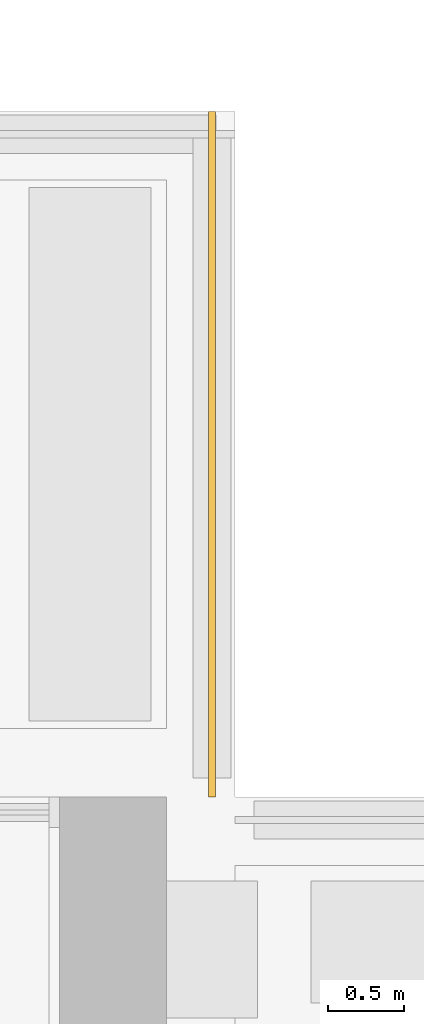
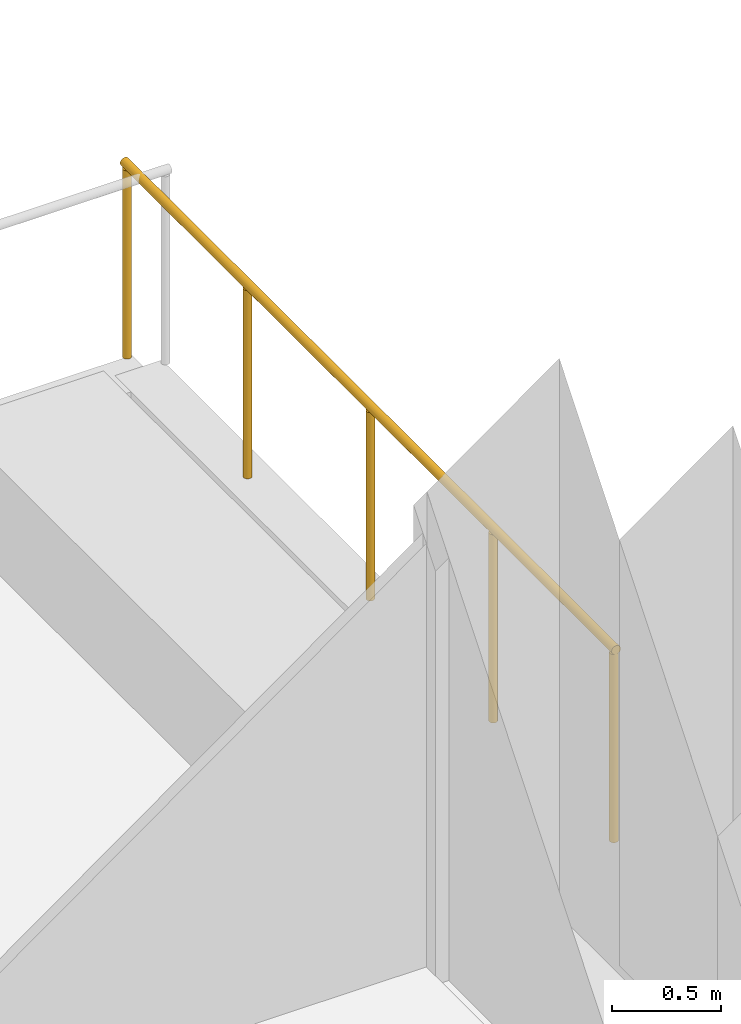
# One storey, part 17 of 18: 1 railing.
"""IFC4 building model written with IfcOpenShell, lengths in metres."""

import ifcopenshell
import ifcopenshell.guid

model = None  # the IFC model being written
_history = None  # IfcOwnerHistory: only IFC2X3 demands one
_inside = {}  # id of a spatial element -> (the spatial element, [elements in it])
_under = {}  # id of a project, library or spatial element -> (it, [spatial elements below it])
_declared = {}  # id of a project -> (the project, [libraries it declares])
_typed = {}  # id of a type object -> (the type object, [elements of that type])
_made_of = {}  # id of a material, layer set ... -> (it, [elements and type objects made of it])


def new_model(schema):
    """Start an empty IFC model of exactly this schema.

    Asked for "IFC4X3", IfcOpenShell would pick the latest addendum, in which some entities
    have other attributes; the version numbers below select the first issue.
    IFC2X3 requires an IfcOwnerHistory on every rooted entity: one is made here for all.
    """
    global model, _history
    if schema == "IFC4X3":
        model = ifcopenshell.file(schema_version=(4, 3, 0, 0))
    else:
        model = ifcopenshell.file(schema=schema)
    _inside.clear()
    _under.clear()
    _declared.clear()
    _typed.clear()
    _made_of.clear()
    _history = None
    if model.schema == "IFC2X3":
        org = make("IfcOrganization", Name="unknown")
        user = make(
            "IfcPersonAndOrganization",
            ThePerson=make("IfcPerson", FamilyName="unknown"),
            TheOrganization=org,
        )
        app = make(
            "IfcApplication",
            ApplicationDeveloper=org,
            Version="unknown",
            ApplicationFullName="unknown",
            ApplicationIdentifier="unknown",
        )
        _history = make(
            "IfcOwnerHistory",
            OwningUser=user,
            OwningApplication=app,
            ChangeAction="ADDED",
            CreationDate=0,
        )
    return model


def make(cls, **values):
    """One entity of the class cls with the attributes given. An attribute that is None is left unset."""
    return model.create_entity(
        cls, **{name: value for name, value in values.items() if value is not None}
    )


def rooted(cls, **values):
    """An entity with a GlobalId (a new one), such as an element, a storey or a relation."""
    return make(cls, GlobalId=ifcopenshell.guid.new(), OwnerHistory=_history, **values)


def si_unit(unit_type, name, prefix=None):
    """IfcSIUnit, for example si_unit("LENGTHUNIT", "METRE", prefix="MILLI")."""
    return make("IfcSIUnit", UnitType=unit_type, Prefix=prefix, Name=name)


def assignment(units):
    """IfcUnitAssignment: the units of a project."""
    return None if units is None else make("IfcUnitAssignment", Units=units)


def point(xyz):
    """IfcCartesianPoint."""
    return None if xyz is None else make("IfcCartesianPoint", Coordinates=xyz)


def direction(xyz):
    """IfcDirection."""
    return None if xyz is None else make("IfcDirection", DirectionRatios=xyz)


def frame(location, z_axis=None, x_axis=None):
    """IfcAxis2Placement3D, a coordinate frame: its origin and axes. An axis left out is left unset."""
    return make(
        "IfcAxis2Placement3D",
        Location=point(location),
        Axis=direction(z_axis),
        RefDirection=direction(x_axis),
    )


def frame_2d(location, x_axis=None):
    """IfcAxis2Placement2D, a coordinate frame in the plane: its origin and x axis."""
    return make(
        "IfcAxis2Placement2D", Location=point(location), RefDirection=direction(x_axis)
    )


def origin():
    """The frame at (0, 0, 0) with its axes left unset."""
    return frame((0.0, 0.0, 0.0))


def origin_2d():
    """The frame at (0, 0) in the plane with its x axis left unset."""
    return frame_2d((0.0, 0.0))


def place(relative_to, where):
    """IfcLocalPlacement: puts the frame where relative to a parent placement (None: the world)."""
    return make(
        "IfcLocalPlacement", PlacementRelTo=relative_to, RelativePlacement=where
    )


def context(
    kind, dimensions, precision=None, world=None, true_north=None, identifier=None
):
    """IfcGeometricRepresentationContext, for example the 3D "Model" context."""
    return make(
        "IfcGeometricRepresentationContext",
        ContextIdentifier=identifier,
        ContextType=kind,
        CoordinateSpaceDimension=dimensions,
        Precision=precision,
        WorldCoordinateSystem=world,
        TrueNorth=true_north,
    )


def subcontext(parent, identifier, kind, view, scale=None):
    """IfcGeometricRepresentationSubContext, for example "Body" below "Model"."""
    return make(
        "IfcGeometricRepresentationSubContext",
        ContextIdentifier=identifier,
        ContextType=kind,
        ParentContext=parent,
        TargetScale=scale,
        TargetView=view,
    )


def project(units=None, contexts=None):
    """IfcProject with its units and contexts."""
    return rooted(
        "IfcProject",
        Name="project",
        RepresentationContexts=contexts,
        UnitsInContext=assignment(units),
    )


def spatial(cls, under=None, at=None, **own):
    """A site, building, storey or space (cls), placed at a placement, below another one or the project."""
    s = rooted(cls, ObjectPlacement=at, **own)
    if under is not None:
        _under.setdefault(under.id(), (under, []))[1].append(s)
    return s


def profile(cls, at=None, kind="AREA", **sizes):
    """A parametric profile (cls). Its sizes go by their IFC names, for example OverallWidth=200.0."""
    return make(cls, ProfileType=kind, Position=at, **sizes)


def circle(**sizes):
    """IfcCircleProfileDef."""
    return profile("IfcCircleProfileDef", **sizes)


def extrude(swept, where, along, depth):
    """IfcExtrudedAreaSolid: the profile swept, set in the frame where, extruded along a direction by depth."""
    return make(
        "IfcExtrudedAreaSolid",
        SweptArea=swept,
        Position=where,
        ExtrudedDirection=direction(along),
        Depth=depth,
    )


def shape(context_of_items, identifier, shape_type, items):
    """IfcShapeRepresentation: the items that make up one representation, for example the "Body"."""
    return make(
        "IfcShapeRepresentation",
        ContextOfItems=context_of_items,
        RepresentationIdentifier=identifier,
        RepresentationType=shape_type,
        Items=items,
    )


def material(Name=None, Category=None):
    """IfcMaterial."""
    return make("IfcMaterial", Name=Name, Category=Category)


def made_of(thing, what):
    """Note that an element or type object is made of a material, layer set ...; save() writes the relation."""
    if what is not None:
        _made_of.setdefault(what.id(), (what, []))[1].append(thing)
    return thing


def type_object(cls, material=None, **own):
    """A type object (cls), such as IfcWallType, which elements share."""
    return made_of(rooted(cls, **own), material)


def element(
    cls,
    number,
    at=None,
    inside=None,
    cuts=None,
    type_object=None,
    material=None,
    context=None,
    identifier="Body",
    shape_type=None,
    held_by="IfcProductDefinitionShape",
    body=None,
    shapes=None,
    **own,
):
    """One element of the class cls, such as IfcWall. Its Tag is "e" and its number.

    at: its placement. inside: the storey or other place that contains it. cuts: it is an
    opening in that element (IfcRelVoidsElement). A single representation is given by context,
    identifier, shape_type and body (its items); several are given by shapes. held_by: the class
    of the entity that holds the representations. save() writes the other relations.
    """
    e = rooted(cls, Tag="e%d" % number, ObjectPlacement=at, **own)
    if body is not None:
        shapes = [shape(context, identifier, shape_type, body)]
    if shapes is not None:
        e.Representation = make(held_by, Representations=shapes)
    if inside is not None:
        _inside.setdefault(inside.id(), (inside, []))[1].append(e)
    if cuts is not None:
        rooted(
            "IfcRelVoidsElement", RelatingBuildingElement=cuts, RelatedOpeningElement=e
        )
    if type_object is not None:
        _typed.setdefault(type_object.id(), (type_object, []))[1].append(e)
    return made_of(e, material)


def aggregate(whole, parts):
    """IfcRelAggregates: a whole, such as a stair, and the parts it consists of."""
    return rooted("IfcRelAggregates", RelatingObject=whole, RelatedObjects=parts)


def save(model, path):
    """Write the relations noted so far, then the file.

    IfcRelAggregates (storeys below a building ...), IfcRelContainedInSpatialStructure (elements
    in a storey), IfcRelDefinesByType, IfcRelAssociatesMaterial and IfcRelDeclares: one each for
    every whole, place, type object, material and project.
    """
    for whole, parts in _under.values():
        aggregate(whole, parts)
    for where, things in _inside.values():
        rooted(
            "IfcRelContainedInSpatialStructure",
            RelatedElements=things,
            RelatingStructure=where,
        )
    for kind, things in _typed.values():
        rooted("IfcRelDefinesByType", RelatedObjects=things, RelatingType=kind)
    for what, things in _made_of.values():
        rooted("IfcRelAssociatesMaterial", RelatedObjects=things, RelatingMaterial=what)
    for by, libraries in _declared.values():
        rooted("IfcRelDeclares", RelatingContext=by, RelatedDefinitions=libraries)
    model.write(path)


model = new_model("IFC4")

# Units and contexts
model_context = context("Model", 3, precision=1e-05, world=origin(), true_north=direction((0.0, 1.0)))
body_context = subcontext(model_context, "Body", "Model", "MODEL_VIEW")
ifc_project = project(units=[si_unit("LENGTHUNIT", "METRE"), si_unit("AREAUNIT", "SQUARE_METRE"), si_unit("VOLUMEUNIT", "CUBIC_METRE"), si_unit("PLANEANGLEUNIT", "RADIAN"), si_unit("MASSUNIT", "GRAM", prefix="KILO")], contexts=[model_context])

# Site, building, storey
site_placement = place(None, origin())
site = spatial("IfcSite", under=ifc_project, at=site_placement, CompositionType="ELEMENT")
building_placement = place(site_placement, origin())
building = spatial("IfcBuilding", under=site, at=building_placement, Name="Calvaro Tower", CompositionType="ELEMENT")
storey_placement = place(building_placement, frame((0.0, 0.0, 95.0)))
storey = spatial("IfcBuildingStorey", under=building, at=storey_placement, Name="L23", CompositionType="ELEMENT", Elevation=95.0)

# Railing
ifc_material = material(Name="Stainless steel", Category="steel")
railing_type = type_object("IfcRailingType", Name="Guard 1100", PredefinedType="GUARDRAIL", material=ifc_material)
railing_placement = place(storey_placement, frame((72.300048828125, 46.0, 0.300048828125)))
element("IfcRailing", 1, at=railing_placement, inside=storey, type_object=railing_type, Name="Terrace guard", PredefinedType="GUARDRAIL", context=body_context, shape_type="SweptSolid", body=[
    extrude(circle(Radius=0.02392578125, at=origin_2d()), frame((0.0, 0.0, 1.076171875), z_axis=(0.0, -1.0, 0.0), x_axis=(1.0, 0.0, 0.0)), (0.0, 0.0, 1.0), 4.5),
    extrude(circle(Radius=0.02099609375, at=origin_2d()), frame((0.0, -0.02099609375, 0.0)), (0.0, 0.0, 1.0), 1.052001953125),
    extrude(circle(Radius=0.02099609375, at=origin_2d()), frame((0.0, -1.125, 0.0)), (0.0, 0.0, 1.0), 1.052001953125),
    extrude(circle(Radius=0.02099609375, at=origin_2d()), frame((0.0, -2.25, 0.0)), (0.0, 0.0, 1.0), 1.052001953125),
    extrude(circle(Radius=0.02099609375, at=origin_2d()), frame((0.0, -3.375, 0.0)), (0.0, 0.0, 1.0), 1.052001953125),
    extrude(circle(Radius=0.02099609375, at=origin_2d()), frame((0.0, -4.47900390625, 0.0)), (0.0, 0.0, 1.0), 1.052001953125),
])

save(model, "model.ifc")
